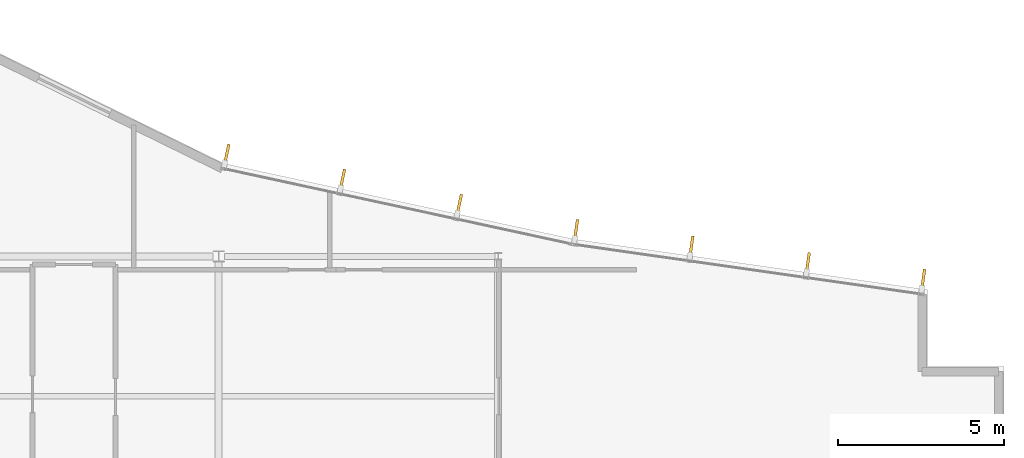
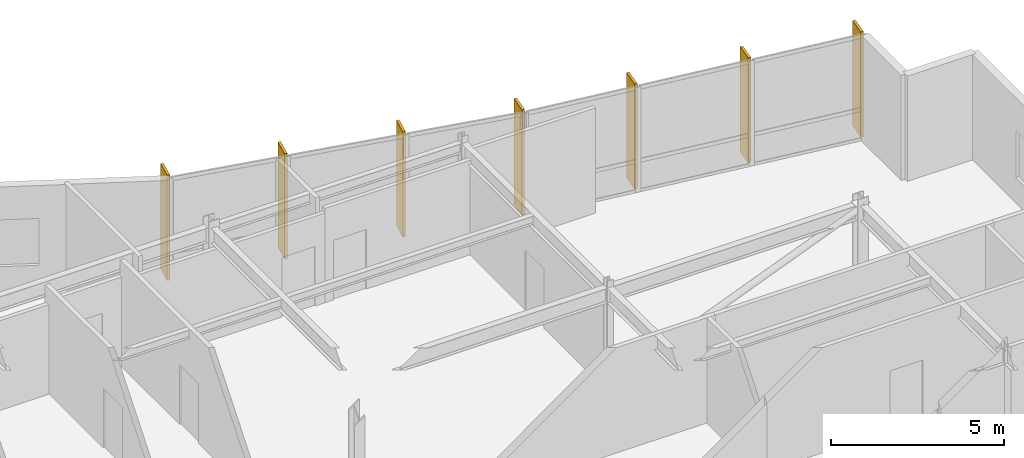
# One storey, part 15 of 16: 7 shading devices.
"""IFC4 building model written with IfcOpenShell, lengths in metres."""

from ifc_helpers import new_model, si_unit, direction, frame, origin, origin_2d, place, context, subcontext, project, spatial, rectangle, extrude, material, layer, layer_set, type_object, element, save


model = new_model("IFC4")

# Units and contexts
model_context = context("Model", 3, precision=1e-05, world=origin(), true_north=direction((0.0, 1.0)))
body_context = subcontext(model_context, "Body", "Model", "MODEL_VIEW")
ifc_project = project(units=[si_unit("LENGTHUNIT", "METRE"), si_unit("AREAUNIT", "SQUARE_METRE"), si_unit("VOLUMEUNIT", "CUBIC_METRE"), si_unit("PLANEANGLEUNIT", "RADIAN"), si_unit("MASSUNIT", "GRAM", prefix="KILO")], contexts=[model_context])

# Site, building, storey
site_placement = place(None, origin())
site = spatial("IfcSite", under=ifc_project, at=site_placement, CompositionType="ELEMENT")
building_placement = place(site_placement, origin())
building = spatial("IfcBuilding", under=site, at=building_placement, Name="Varnakote Quay Hospital", CompositionType="ELEMENT")
storey_placement = place(building_placement, frame((0.0, 0.0, 288.14990234375)))
storey = spatial("IfcBuildingStorey", under=building, at=storey_placement, Name="L71", CompositionType="ELEMENT", Elevation=288.14990234375)

# Shading devices
ifc_material = material(Name="Anodised aluminium 6063-T6 Bronze", Category="aluminium")
ifc_layer = layer(ifc_material, 0.0849609375)
ifc_layer_set = layer_set([ifc_layer], Name="Anodised aluminium 6063-T6 Bronze")
shading_device_type = type_object("IfcShadingDeviceType", Name="SHD-BRONZE-FIN-620", PredefinedType="USERDEFINED", material=ifc_layer_set)
for number, where, z_axis, x_axis, name in (
    (1, (37.971435546875, 28.111328125, 0.0), (0.0, 0.0, 1.0), (-0.141592364445, -0.989925048845, 0.0), "L71 Anodised Bronze Vertical Shading FIN"),
    (2, (34.5048828125, 28.607177734375, 0.0), (0.0, 0.0, 1.0), (-0.141592364445, -0.989925048845, 0.0), "L71 Anodised Bronze Vertical Shading FIN"),
    (3, (31.006103515625, 29.107421875, 0.0), (0.0, 0.0, 1.0), (-0.141592364445, -0.989925048845, 0.0), "L71 Anodised Bronze Vertical Shading FIN"),
    (4, (27.53955078125, 29.603271484375, 0.0), (0.0, 0.0, 1.0), (-0.141592364445, -0.989925048845, 0.0), "L71 Anodised Bronze Vertical Shading FIN"),
    (5, (24.029296875, 30.361328125, 0.0), (0.0, 0.0, 1.0), (-0.211324796455, -0.977415894286, 0.0), "L71 Anodised Bronze Vertical Shading FIN"),
    (6, (20.519775390625, 31.120361328125, 0.0), (0.0, 0.0, 1.0), (-0.211324796455, -0.977415894286, 0.0), "L71 Anodised Bronze Vertical Shading FIN"),
    (7, (17.0419921875, 31.872802734375, 0.0), (0.0, 0.0, 1.0), (-0.211324796455, -0.977415894286, 0.0), "L71 Anodised Bronze Vertical Shading FIN"),
):
    element("IfcShadingDevice", number, at=place(storey_placement, frame(where, z_axis=z_axis, x_axis=x_axis)), inside=storey, type_object=shading_device_type, Name=name, ObjectType="FIN", PredefinedType="USERDEFINED", context=body_context, shape_type="SweptSolid", body=[
        extrude(rectangle(XDim=0.6201171875, YDim=0.0849609375, at=origin_2d()), origin(), (0.0, 0.0, 1.0), 3.7099609375),
    ])

save(model, "model.ifc")
